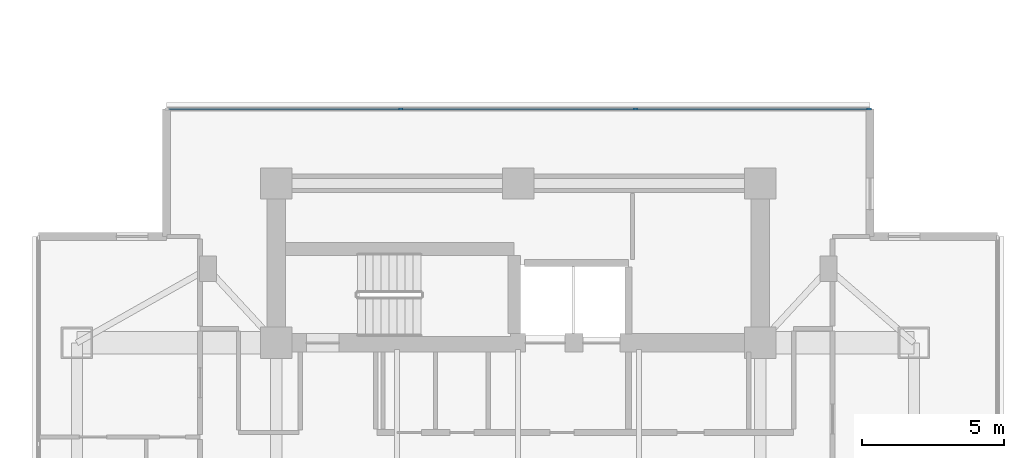
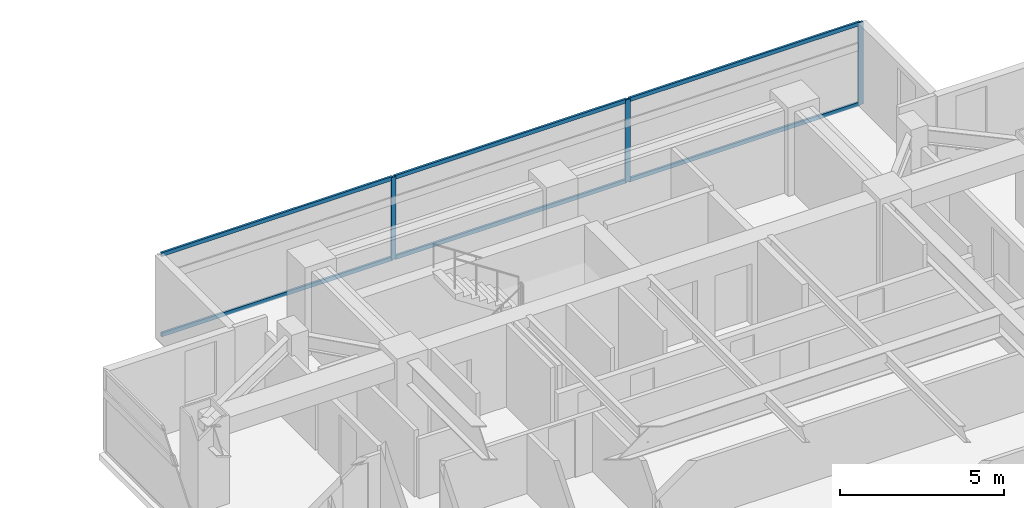
# One storey, part 11 of 24: 9 members, 1 element without a shape of its own.
"""IFC4 building model written with IfcOpenShell, lengths in metres."""

from ifc_helpers import new_model, si_unit, direction, frame, origin, origin_2d, place, context, subcontext, project, spatial, rectangle, extrude, material, material_profile, profile_set, type_object, element, aggregate, save


model = new_model("IFC4")

# Units and contexts
model_context = context("Model", 3, precision=1e-05, world=origin(), true_north=direction((0.0, 1.0)))
body_context = subcontext(model_context, "Body", "Model", "MODEL_VIEW")
ifc_project = project(units=[si_unit("LENGTHUNIT", "METRE"), si_unit("AREAUNIT", "SQUARE_METRE"), si_unit("VOLUMEUNIT", "CUBIC_METRE"), si_unit("PLANEANGLEUNIT", "RADIAN"), si_unit("MASSUNIT", "GRAM", prefix="KILO")], contexts=[model_context])

# Site, building, storey
site_placement = place(None, origin())
site = spatial("IfcSite", under=ifc_project, at=site_placement, CompositionType="ELEMENT")
building_placement = place(site_placement, origin())
building = spatial("IfcBuilding", under=site, at=building_placement, Name="Mirazonda Arch Towers", CompositionType="ELEMENT")
storey_placement = place(building_placement, frame((0.0, 0.0, 118.10009765625)))
storey = spatial("IfcBuildingStorey", under=building, at=storey_placement, Name="L33", CompositionType="ELEMENT", Elevation=118.10009765625)

# Curtain wall, members
ifc_material_1 = material(Name="Anodised Aluminium and Low-E Glass", Category="aluminium")
curtain_wall_type = type_object("IfcCurtainWallType", Name="CW-HTL-UNIT", PredefinedType="NOTDEFINED", material=ifc_material_1)
curtain_wall_placement = place(storey_placement, origin())
curtain_wall = element("IfcCurtainWall", 1, at=curtain_wall_placement, inside=storey, type_object=curtain_wall_type, Name="L33 T2 N Facade CW-L33-T2-N", PredefinedType="NOTDEFINED")
ifc_material_2 = material(Name="Anodised Aluminium Alloy", Category="aluminium")
ifc_material_profile_1 = material_profile(ifc_material_2, rectangle(XDim=0.074951171875, YDim=0.1650390625, at=origin_2d()), Name="ALU-MULL-75x165")
ifc_profile_set_1 = profile_set([ifc_material_profile_1], Name="Anodised Aluminium Alloy")
member_type_1 = type_object("IfcMemberType", Name="MULL-CW-HTL-UNIT", PredefinedType="MULLION", material=ifc_profile_set_1)
member_1_placement = place(storey_placement, frame((72.380615234375, 43.4189453125, 0.0), z_axis=(0.0, 0.0, 1.0), x_axis=(0.0, 1.0, 0.0)))
member_1 = element("IfcMember", 2, at=member_1_placement, type_object=member_type_1, Name="CW-112 mullion 2", PredefinedType="MULLION", context=body_context, shape_type="SweptSolid", body=[
    extrude(rectangle(XDim=0.074951171875, YDim=0.1650390625, at=origin_2d()), origin(), (0.0, 0.0, 1.0), 3.059814453125),
])
member_2_placement = place(storey_placement, frame((80.619384765625, 43.4189453125, 0.0), z_axis=(0.0, 0.0, 1.0), x_axis=(0.0, 1.0, 0.0)))
member_2 = element("IfcMember", 3, at=member_2_placement, type_object=member_type_1, Name="CW-112 mullion 3", PredefinedType="MULLION", context=body_context, shape_type="SweptSolid", body=[
    extrude(rectangle(XDim=0.074951171875, YDim=0.1650390625, at=origin_2d()), origin(), (0.0, 0.0, 1.0), 3.059814453125),
])
member_3_placement = place(storey_placement, frame((88.821044921875, 43.4189453125, 0.0), z_axis=(0.0, 0.0, 1.0), x_axis=(0.0, 1.0, 0.0)))
member_3 = element("IfcMember", 4, at=member_3_placement, type_object=member_type_1, Name="CW-112 mullion 4", PredefinedType="MULLION", context=body_context, shape_type="SweptSolid", body=[
    extrude(rectangle(XDim=0.074951171875, YDim=0.1650390625, at=origin_2d()), origin(), (0.0, 0.0, 1.0), 3.059814453125),
])
ifc_material_profile_2 = material_profile(ifc_material_2, rectangle(XDim=0.074951171875, YDim=0.14501953125, at=origin_2d()), Name="ALU-TRAN-75x145")
ifc_profile_set_2 = profile_set([ifc_material_profile_2], Name="Anodised Aluminium Alloy")
member_type_2 = type_object("IfcMemberType", Name="TRAN-CW-HTL-UNIT", PredefinedType="USERDEFINED", material=ifc_profile_set_2)
member_4_placement = place(storey_placement, frame((64.216552734375, 43.4189453125, 0.037353515625), z_axis=(1.0, 0.0, 0.0), x_axis=(0.0, 1.0, 0.0)))
member_4 = element("IfcMember", 5, at=member_4_placement, type_object=member_type_2, Name="CW-112 transom 1.1", ObjectType="TRANSOM", PredefinedType="USERDEFINED", context=body_context, shape_type="SweptSolid", body=[
    extrude(rectangle(XDim=0.074951171875, YDim=0.14501953125, at=origin_2d()), origin(), (0.0, 0.0, 1.0), 8.12646484375),
])
member_5_placement = place(storey_placement, frame((64.216552734375, 43.4189453125, 3.0224609375), z_axis=(1.0, 0.0, 0.0), x_axis=(0.0, 1.0, 0.0)))
member_5 = element("IfcMember", 6, at=member_5_placement, type_object=member_type_2, Name="CW-112 transom 1.2", ObjectType="TRANSOM", PredefinedType="USERDEFINED", context=body_context, shape_type="SweptSolid", body=[
    extrude(rectangle(XDim=0.074951171875, YDim=0.14501953125, at=origin_2d()), origin(), (0.0, 0.0, 1.0), 8.12646484375),
])
member_6_placement = place(storey_placement, frame((72.41796875, 43.4189453125, 0.037353515625), z_axis=(1.0, 0.0, 0.0), x_axis=(0.0, 1.0, 0.0)))
member_6 = element("IfcMember", 7, at=member_6_placement, type_object=member_type_2, Name="CW-112 transom 2.1", ObjectType="TRANSOM", PredefinedType="USERDEFINED", context=body_context, shape_type="SweptSolid", body=[
    extrude(rectangle(XDim=0.074951171875, YDim=0.14501953125, at=origin_2d()), origin(), (0.0, 0.0, 1.0), 8.1640625),
])
member_7_placement = place(storey_placement, frame((72.41796875, 43.4189453125, 3.0224609375), z_axis=(1.0, 0.0, 0.0), x_axis=(0.0, 1.0, 0.0)))
member_7 = element("IfcMember", 8, at=member_7_placement, type_object=member_type_2, Name="CW-112 transom 2.2", ObjectType="TRANSOM", PredefinedType="USERDEFINED", context=body_context, shape_type="SweptSolid", body=[
    extrude(rectangle(XDim=0.074951171875, YDim=0.14501953125, at=origin_2d()), origin(), (0.0, 0.0, 1.0), 8.1640625),
])
member_8_placement = place(storey_placement, frame((80.656982421875, 43.4189453125, 0.037353515625), z_axis=(1.0, 0.0, 0.0), x_axis=(0.0, 1.0, 0.0)))
member_8 = element("IfcMember", 9, at=member_8_placement, type_object=member_type_2, Name="CW-112 transom 3.1", ObjectType="TRANSOM", PredefinedType="USERDEFINED", context=body_context, shape_type="SweptSolid", body=[
    extrude(rectangle(XDim=0.074951171875, YDim=0.14501953125, at=origin_2d()), origin(), (0.0, 0.0, 1.0), 8.12646484375),
])
member_9_placement = place(storey_placement, frame((80.656982421875, 43.4189453125, 3.0224609375), z_axis=(1.0, 0.0, 0.0), x_axis=(0.0, 1.0, 0.0)))
member_9 = element("IfcMember", 10, at=member_9_placement, type_object=member_type_2, Name="CW-112 transom 3.2", ObjectType="TRANSOM", PredefinedType="USERDEFINED", context=body_context, shape_type="SweptSolid", body=[
    extrude(rectangle(XDim=0.074951171875, YDim=0.14501953125, at=origin_2d()), origin(), (0.0, 0.0, 1.0), 8.12646484375),
])
aggregate(curtain_wall, [member_1, member_2, member_3, member_4, member_5, member_6, member_7, member_8, member_9])

save(model, "model.ifc")
